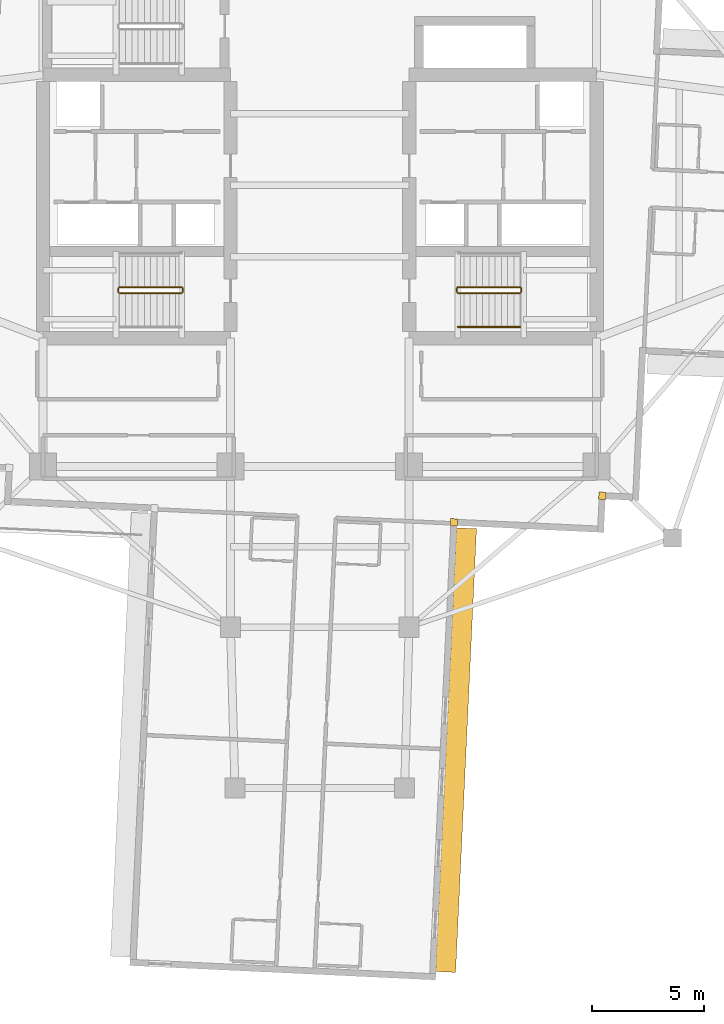
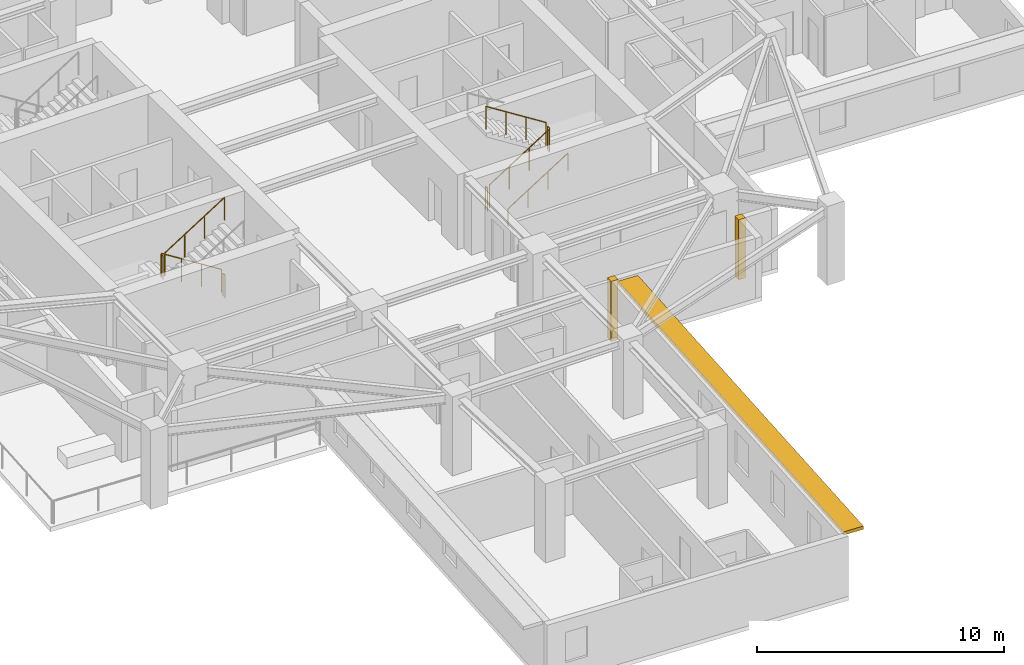
# One storey, part 11 of 14: 9 railings, 2 coverings, 1 shading device.
"""IFC4 building model written with IfcOpenShell, lengths in metres."""

from ifc_helpers import new_model, si_unit, direction, frame, origin, origin_2d, place, context, subcontext, project, spatial, rectangle, circle, extrude, material, layer, layer_set, type_object, element, save


model = new_model("IFC4")

# Units and contexts
model_context = context("Model", 3, precision=1e-05, world=origin(), true_north=direction((0.0, 1.0)))
body_context = subcontext(model_context, "Body", "Model", "MODEL_VIEW")
ifc_project = project(units=[si_unit("LENGTHUNIT", "METRE"), si_unit("AREAUNIT", "SQUARE_METRE"), si_unit("VOLUMEUNIT", "CUBIC_METRE"), si_unit("PLANEANGLEUNIT", "RADIAN"), si_unit("MASSUNIT", "GRAM", prefix="KILO")], contexts=[model_context])

# Site, building, storey
site_placement = place(None, origin())
site = spatial("IfcSite", under=ifc_project, at=site_placement, CompositionType="ELEMENT")
building_placement = place(site_placement, origin())
building = spatial("IfcBuilding", under=site, at=building_placement, Name="Qingluan Cross Belvedere", CompositionType="ELEMENT")
storey_placement = place(building_placement, frame((0.0, 0.0, 156.60009765625)))
storey = spatial("IfcBuildingStorey", under=building, at=storey_placement, Name="L39", CompositionType="ELEMENT", Elevation=156.60009765625)

# Coverings
ifc_material_1 = material(Name="Precast concrete C45", Category="concrete")
ifc_layer_1 = layer(ifc_material_1, 0.1201171875, Name="ConcreteSpandrelCladding_120")
ifc_layer_set_1 = layer_set([ifc_layer_1], Name="Precast concrete C45")
covering_type = type_object("IfcCoveringType", Name="ConcreteSpandrelCladding_120", PredefinedType="CLADDING", material=ifc_layer_set_1)
for number, where, z_axis, x_axis, name in (
    (1, (12.65869140625, -13.911865234375, 0.0), (0.0, 0.0, 1.0), (0.998889874962, -0.04710645071, 0.0), "Corner closure L39-SE1"),
    (2, (6.015380859375, -15.10009765625, 0.0), (0.0, 0.0, 1.0), (0.998889874962, -0.04710645071, 0.0), "Corner closure L39-SE2"),
):
    element("IfcCovering", number, at=place(storey_placement, frame(where, z_axis=z_axis, x_axis=x_axis)), inside=storey, type_object=covering_type, Name=name, PredefinedType="CLADDING", context=body_context, shape_type="SweptSolid", body=[
        extrude(rectangle(XDim=0.320068359375, YDim=0.320068359375, at=origin_2d()), origin(), (0.0, 0.0, 1.0), 2.969970703125),
    ])

# Shading device
ifc_material_2 = material(Name="Precast concrete C45", Category="concrete")
ifc_layer_2 = layer(ifc_material_2, 0.159912109375, Name="ConcreteSunshadeBand_900")
ifc_layer_set_2 = layer_set([ifc_layer_2], Name="Precast concrete C45")
shading_device_type = type_object("IfcShadingDeviceType", Name="ConcreteSunshadeBand_900", PredefinedType="USERDEFINED", material=ifc_layer_set_2)
shading_device_placement = place(storey_placement, frame((6.104736328125, -25.3056640625, 2.7900390625), z_axis=(0.0, 0.0, 1.0), x_axis=(0.04710941444, 0.998889735192, 0.0)))
element("IfcShadingDevice", 3, at=shading_device_placement, inside=storey, type_object=shading_device_type, Name="Concrete SUNSHADE L39-SB", ObjectType="SUNSHADE", PredefinedType="USERDEFINED", context=body_context, shape_type="SweptSolid", body=[
    extrude(rectangle(XDim=19.89990234375, YDim=0.89990234375, at=origin_2d()), origin(), (0.0, 0.0, 1.0), 0.159912109375),
])

# Railings
ifc_material_3 = material(Name="Brushed stainless steel tubular handrail", Category="steel")
railing_type_1 = type_object("IfcRailingType", Name="StairPitchHandrail_900", PredefinedType="HANDRAIL", material=ifc_material_3)
railing_1_placement = place(storey_placement, frame((6.179931640625, -6.35009765625, 0.17724609375)))
element("IfcRailing", 4, at=railing_1_placement, inside=storey, type_object=railing_type_1, Name="L39 ST2 stair handrail 1", PredefinedType="HANDRAIL", context=body_context, shape_type="SweptSolid", body=[
    extrude(circle(Radius=0.02392578125, at=origin_2d()), frame((0.0, 0.0, 0.8759765625), z_axis=(0.844908973607, 0.0, 0.534910110503), x_axis=(0.0, 1.0, 0.0)), (0.0, 0.0, 1.0), 3.31396484375),
    extrude(circle(Radius=0.02099609375, at=origin_2d()), origin(), (0.0, 0.0, 1.0), 0.851806640625),
    extrude(circle(Radius=0.02099609375, at=origin_2d()), frame((0.933349609375, 0.0, 0.5908203125)), (0.0, 0.0, 1.0), 0.851806640625),
    extrude(circle(Radius=0.02099609375, at=origin_2d()), frame((1.86669921875, 0.0, 1.181884765625)), (0.0, 0.0, 1.0), 0.851806640625),
    extrude(circle(Radius=0.02099609375, at=origin_2d()), frame((2.800048828125, 0.0, 1.772705078125)), (0.0, 0.0, 1.0), 0.851806640625),
])
ifc_material_4 = material(Name="Painted steel stair well guard", Category="steel")
railing_type_2 = type_object("IfcRailingType", Name="StairWellGuard_1150", PredefinedType="BALUSTRADE", material=ifc_material_4)
railing_2_placement = place(storey_placement, frame((-6.179931640625, -4.570068359375, 0.17724609375)))
element("IfcRailing", 5, at=railing_2_placement, inside=storey, type_object=railing_type_2, Name="L39 ST1 stair guard 1", PredefinedType="BALUSTRADE", context=body_context, shape_type="SweptSolid", body=[
    extrude(circle(Radius=0.02392578125, at=origin_2d()), frame((0.0, 0.0, 1.1259765625), z_axis=(-0.844908973607, 0.0, 0.534910110503), x_axis=(0.0, -1.0, 0.0)), (0.0, 0.0, 1.0), 3.31396484375),
    extrude(circle(Radius=0.02099609375, at=origin_2d()), origin(), (0.0, 0.0, 1.0), 1.101806640625),
    extrude(circle(Radius=0.02099609375, at=origin_2d()), frame((-0.933349609375, 0.0, 0.5908203125)), (0.0, 0.0, 1.0), 1.101806640625),
    extrude(circle(Radius=0.02099609375, at=origin_2d()), frame((-1.86669921875, 0.0, 1.181884765625)), (0.0, 0.0, 1.0), 1.101806640625),
    extrude(circle(Radius=0.02099609375, at=origin_2d()), frame((-2.800048828125, 0.0, 1.772705078125)), (0.0, 0.0, 1.0), 1.101806640625),
])
railing_3_placement = place(storey_placement, frame((-9.030029296875, -4.6201171875, 1.949951171875)))
element("IfcRailing", 6, at=railing_3_placement, inside=storey, type_object=railing_type_2, Name="L39 ST1 stair guard 2", PredefinedType="BALUSTRADE", context=body_context, shape_type="SweptSolid", body=[
    extrude(circle(Radius=0.02392578125, at=origin_2d()), frame((0.0, 0.0, 1.1259765625), z_axis=(0.0, -1.0, 0.0), x_axis=(1.0, 0.0, 0.0)), (0.0, 0.0, 1.0), 0.159912109375),
    extrude(circle(Radius=0.02099609375, at=origin_2d()), origin(), (0.0, 0.0, 1.0), 1.101806640625),
    extrude(circle(Radius=0.02099609375, at=origin_2d()), frame((0.0, -0.159912109375, 0.0)), (0.0, 0.0, 1.0), 1.101806640625),
])
railing_4_placement = place(storey_placement, frame((-8.97998046875, -4.830078125, 2.127197265625)))
element("IfcRailing", 7, at=railing_4_placement, inside=storey, type_object=railing_type_2, Name="L39 ST1 stair guard 3", PredefinedType="BALUSTRADE", context=body_context, shape_type="SweptSolid", body=[
    extrude(circle(Radius=0.02392578125, at=origin_2d()), frame((0.0, 0.0, 1.1259765625), z_axis=(0.844908973607, 0.0, 0.534910110503), x_axis=(0.0, 1.0, 0.0)), (0.0, 0.0, 1.0), 3.31396484375),
    extrude(circle(Radius=0.02099609375, at=origin_2d()), origin(), (0.0, 0.0, 1.0), 1.101806640625),
    extrude(circle(Radius=0.02099609375, at=origin_2d()), frame((0.933349609375, 0.0, 0.5908203125)), (0.0, 0.0, 1.0), 1.101806640625),
    extrude(circle(Radius=0.02099609375, at=origin_2d()), frame((1.86669921875, 0.0, 1.181884765625)), (0.0, 0.0, 1.0), 1.101806640625),
    extrude(circle(Radius=0.02099609375, at=origin_2d()), frame((2.800048828125, 0.0, 1.772705078125)), (0.0, 0.0, 1.0), 1.101806640625),
])
railing_5_placement = place(storey_placement, frame((-6.1298828125, -4.6201171875, 0.0)))
element("IfcRailing", 8, at=railing_5_placement, inside=storey, type_object=railing_type_2, Name="L39 ST1 stair guard 4", PredefinedType="BALUSTRADE", context=body_context, shape_type="SweptSolid", body=[
    extrude(circle(Radius=0.02392578125, at=origin_2d()), frame((0.0, 0.0, 1.1259765625), z_axis=(0.0, -1.0, 0.0), x_axis=(1.0, 0.0, 0.0)), (0.0, 0.0, 1.0), 0.159912109375),
    extrude(circle(Radius=0.02099609375, at=origin_2d()), origin(), (0.0, 0.0, 1.0), 1.101806640625),
    extrude(circle(Radius=0.02099609375, at=origin_2d()), frame((0.0, -0.159912109375, 0.0)), (0.0, 0.0, 1.0), 1.101806640625),
])
railing_6_placement = place(storey_placement, frame((6.179931640625, -4.830078125, 0.17724609375)))
element("IfcRailing", 9, at=railing_6_placement, inside=storey, type_object=railing_type_2, Name="L39 ST2 stair guard 1", PredefinedType="BALUSTRADE", context=body_context, shape_type="SweptSolid", body=[
    extrude(circle(Radius=0.02392578125, at=origin_2d()), frame((0.0, 0.0, 1.1259765625), z_axis=(0.844908973607, 0.0, 0.534910110503), x_axis=(0.0, 1.0, 0.0)), (0.0, 0.0, 1.0), 3.31396484375),
    extrude(circle(Radius=0.02099609375, at=origin_2d()), origin(), (0.0, 0.0, 1.0), 1.101806640625),
    extrude(circle(Radius=0.02099609375, at=origin_2d()), frame((0.933349609375, 0.0, 0.5908203125)), (0.0, 0.0, 1.0), 1.101806640625),
    extrude(circle(Radius=0.02099609375, at=origin_2d()), frame((1.86669921875, 0.0, 1.181884765625)), (0.0, 0.0, 1.0), 1.101806640625),
    extrude(circle(Radius=0.02099609375, at=origin_2d()), frame((2.800048828125, 0.0, 1.772705078125)), (0.0, 0.0, 1.0), 1.101806640625),
])
railing_7_placement = place(storey_placement, frame((9.030029296875, -4.780029296875, 1.949951171875)))
element("IfcRailing", 10, at=railing_7_placement, inside=storey, type_object=railing_type_2, Name="L39 ST2 stair guard 2", PredefinedType="BALUSTRADE", context=body_context, shape_type="SweptSolid", body=[
    extrude(circle(Radius=0.02392578125, at=origin_2d()), frame((0.0, 0.0, 1.1259765625), z_axis=(0.0, 1.0, 0.0), x_axis=(-1.0, 0.0, 0.0)), (0.0, 0.0, 1.0), 0.159912109375),
    extrude(circle(Radius=0.02099609375, at=origin_2d()), origin(), (0.0, 0.0, 1.0), 1.101806640625),
    extrude(circle(Radius=0.02099609375, at=origin_2d()), frame((0.0, 0.159912109375, 0.0)), (0.0, 0.0, 1.0), 1.101806640625),
])
railing_8_placement = place(storey_placement, frame((8.97998046875, -4.570068359375, 2.127197265625)))
element("IfcRailing", 11, at=railing_8_placement, inside=storey, type_object=railing_type_2, Name="L39 ST2 stair guard 3", PredefinedType="BALUSTRADE", context=body_context, shape_type="SweptSolid", body=[
    extrude(circle(Radius=0.02392578125, at=origin_2d()), frame((0.0, 0.0, 1.1259765625), z_axis=(-0.844908973607, 0.0, 0.534910110503), x_axis=(0.0, -1.0, 0.0)), (0.0, 0.0, 1.0), 3.31396484375),
    extrude(circle(Radius=0.02099609375, at=origin_2d()), origin(), (0.0, 0.0, 1.0), 1.101806640625),
    extrude(circle(Radius=0.02099609375, at=origin_2d()), frame((-0.933349609375, 0.0, 0.5908203125)), (0.0, 0.0, 1.0), 1.101806640625),
    extrude(circle(Radius=0.02099609375, at=origin_2d()), frame((-1.86669921875, 0.0, 1.181884765625)), (0.0, 0.0, 1.0), 1.101806640625),
    extrude(circle(Radius=0.02099609375, at=origin_2d()), frame((-2.800048828125, 0.0, 1.772705078125)), (0.0, 0.0, 1.0), 1.101806640625),
])
railing_9_placement = place(storey_placement, frame((6.1298828125, -4.780029296875, 0.0)))
element("IfcRailing", 12, at=railing_9_placement, inside=storey, type_object=railing_type_2, Name="L39 ST2 stair guard 4", PredefinedType="BALUSTRADE", context=body_context, shape_type="SweptSolid", body=[
    extrude(circle(Radius=0.02392578125, at=origin_2d()), frame((0.0, 0.0, 1.1259765625), z_axis=(0.0, 1.0, 0.0), x_axis=(-1.0, 0.0, 0.0)), (0.0, 0.0, 1.0), 0.159912109375),
    extrude(circle(Radius=0.02099609375, at=origin_2d()), origin(), (0.0, 0.0, 1.0), 1.101806640625),
    extrude(circle(Radius=0.02099609375, at=origin_2d()), frame((0.0, 0.159912109375, 0.0)), (0.0, 0.0, 1.0), 1.101806640625),
])

save(model, "model.ifc")
